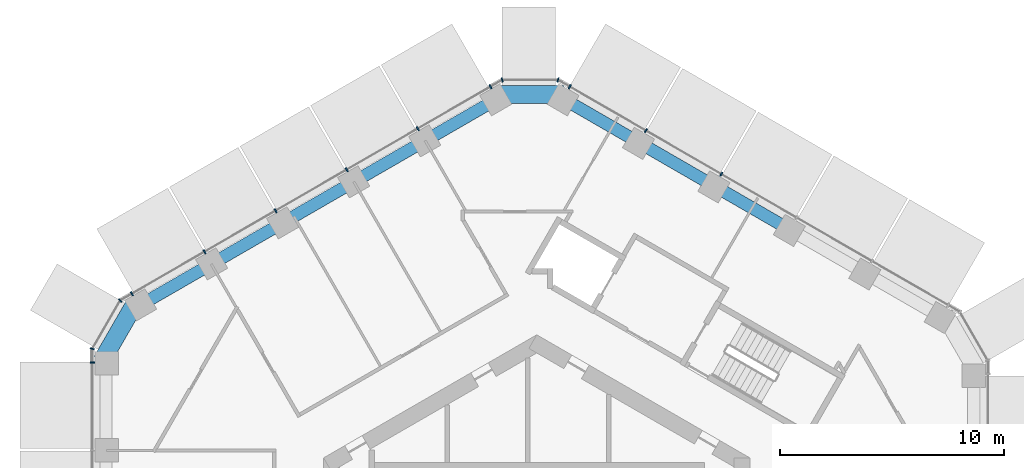
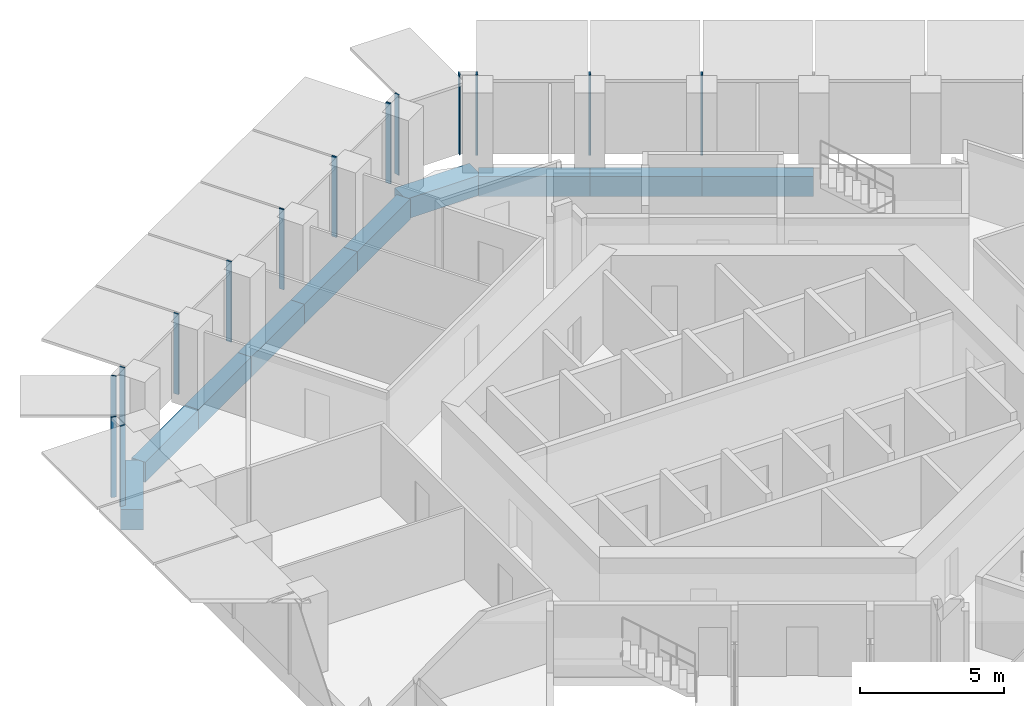
# One storey, part 6 of 19: 14 members, 10 beams, 5 elements without a shape of their own.
"""IFC4 building model written with IfcOpenShell, lengths in metres."""

from ifc_helpers import new_model, si_unit, direction, frame, origin, origin_2d, place, context, subcontext, project, spatial, rectangle, extrude, material, layer, layer_set, material_profile, profile_set, type_object, element, aggregate, save


model = new_model("IFC4")

# Units and contexts
model_context = context("Model", 3, precision=1e-05, world=origin(), true_north=direction((0.0, 1.0)))
body_context = subcontext(model_context, "Body", "Model", "MODEL_VIEW")
ifc_project = project(units=[si_unit("LENGTHUNIT", "METRE"), si_unit("AREAUNIT", "SQUARE_METRE"), si_unit("VOLUMEUNIT", "CUBIC_METRE"), si_unit("PLANEANGLEUNIT", "RADIAN"), si_unit("MASSUNIT", "GRAM", prefix="KILO")], contexts=[model_context])

# Site, building, storey
site_placement = place(None, origin())
site = spatial("IfcSite", under=ifc_project, at=site_placement, CompositionType="ELEMENT")
building_placement = place(site_placement, origin())
building = spatial("IfcBuilding", under=site, at=building_placement, Name="Ayvan Gate Tower", CompositionType="ELEMENT")
storey_placement = place(building_placement, frame((0.0, 0.0, 100.10009765625)))
storey = spatial("IfcBuildingStorey", under=building, at=storey_placement, Name="L26", CompositionType="ELEMENT", Elevation=100.10009765625)

# Beams
ifc_material_1 = material(Name="Concrete C40/50", Category="concrete")
ifc_material_profile_1 = material_profile(ifc_material_1, rectangle(XDim=0.800048828125, YDim=0.85009765625, at=origin_2d()), Name="RC 800x850")
ifc_profile_set_1 = profile_set([ifc_material_profile_1], Name="Concrete C40/50")
beam_type_1 = type_object("IfcBeamType", Name="Corner spandrel beam RC 800x850 C40/50", PredefinedType="BEAM", material=ifc_profile_set_1)
for number, where, z_axis, x_axis, name in (
    (1, (1.216796875, 21.6904296875, -0.775146484375), (-1.0, 0.0, 0.0), (0.0, -1.0, 0.0), "SB-L26-12"),
    (2, (-17.892822265625, 12.3896484375, -0.775146484375), (-0.499990139034, -0.866031096941, 0.0), (0.866031096941, -0.499990139034, 0.0), "SB-L26-18"),
):
    element("IfcBeam", number, at=place(storey_placement, frame(where, z_axis=z_axis, x_axis=x_axis)), inside=storey, type_object=beam_type_1, Name=name, PredefinedType="BEAM", context=body_context, shape_type="SweptSolid", body=[
        extrude(rectangle(XDim=0.800048828125, YDim=0.85009765625, at=origin_2d()), origin(), (0.0, 0.0, 1.0), 3.0),
    ])
ifc_material_profile_2 = material_profile(ifc_material_1, rectangle(XDim=0.550048828125, YDim=0.85009765625, at=origin_2d()), Name="RC 550x850")
ifc_profile_set_2 = profile_set([ifc_material_profile_2], Name="Concrete C40/50")
beam_type_2 = type_object("IfcBeamType", Name="Spandrel beam RC 550x850 C40/50", PredefinedType="BEAM", material=ifc_profile_set_2)
for number, where, z_axis, x_axis, name in (
    (3, (11.278076171875, 15.66162109375, -0.775146484375), (-0.866027059381, 0.499997132412, 0.0), (-0.499997132412, -0.866027059381, 0.0), "SB-L26-9"),
    (4, (7.92431640625, 17.597900390625, -0.775146484375), (-0.866027059381, 0.499997132412, 0.0), (-0.499997132412, -0.866027059381, 0.0), "SB-L26-10"),
    (5, (4.570556640625, 19.5341796875, -0.775146484375), (-0.866027059381, 0.499997132412, 0.0), (-0.499997132412, -0.866027059381, 0.0), "SB-L26-11"),
):
    element("IfcBeam", number, at=place(storey_placement, frame(where, z_axis=z_axis, x_axis=x_axis)), inside=storey, type_object=beam_type_2, Name=name, PredefinedType="BEAM", context=body_context, shape_type="SweptSolid", body=[
        extrude(rectangle(XDim=0.550048828125, YDim=0.85009765625, at=origin_2d()), origin(), (0.0, 0.0, 1.0), 3.87255859375),
    ])
for number, where, z_axis, x_axis, name in (
    (6, (-1.783203125, 21.470458984375, -0.775146484375), (-0.866031869728, -0.49998880049, 0.0), (0.49998880049, -0.866031869728, 0.0), "SB-L26-13"),
    (7, (-4.967041015625, 19.63232421875, -0.775146484375), (-0.866031869728, -0.49998880049, 0.0), (0.49998880049, -0.866031869728, 0.0), "SB-L26-14"),
):
    element("IfcBeam", number, at=place(storey_placement, frame(where, z_axis=z_axis, x_axis=x_axis)), inside=storey, type_object=beam_type_2, Name=name, PredefinedType="BEAM", context=body_context, shape_type="SweptSolid", body=[
        extrude(rectangle(XDim=0.550048828125, YDim=0.85009765625, at=origin_2d()), origin(), (0.0, 0.0, 1.0), 3.67626953125),
    ])
beam_placement = place(storey_placement, frame((-8.15087890625, 17.794189453125, -0.775146484375), z_axis=(-0.866003114002, -0.500038605048, 0.0), x_axis=(0.500038605048, -0.866003114002, 0.0)))
element("IfcBeam", 8, at=beam_placement, inside=storey, type_object=beam_type_2, Name="SB-L26-15", PredefinedType="BEAM", context=body_context, shape_type="SweptSolid", body=[
    extrude(rectangle(XDim=0.550048828125, YDim=0.85009765625, at=origin_2d()), origin(), (0.0, 0.0, 1.0), 3.676513671875),
])
for number, where, z_axis, x_axis, name in (
    (9, (-11.334716796875, 15.955810546875, -0.775146484375), (-0.866031869728, -0.49998880049, 0.0), (0.49998880049, -0.866031869728, 0.0), "SB-L26-16"),
    (10, (-14.5185546875, 14.11767578125, -0.775146484375), (-0.866031869728, -0.49998880049, 0.0), (0.49998880049, -0.866031869728, 0.0), "SB-L26-17"),
):
    element("IfcBeam", number, at=place(storey_placement, frame(where, z_axis=z_axis, x_axis=x_axis)), inside=storey, type_object=beam_type_2, Name=name, PredefinedType="BEAM", context=body_context, shape_type="SweptSolid", body=[
        extrude(rectangle(XDim=0.550048828125, YDim=0.85009765625, at=origin_2d()), origin(), (0.0, 0.0, 1.0), 3.67626953125),
    ])

# Curtain wall, members
ifc_material_2 = material(Name="Bronze anodised aluminium", Category="aluminium")
ifc_layer_1 = layer(ifc_material_2, 0.199951171875)
ifc_layer_set_1 = layer_set([ifc_layer_1], Name="Bronze anodised aluminium")
curtain_wall_type_1 = type_object("IfcCurtainWallType", Name="Stick curtain wall CW-1", PredefinedType="NOTDEFINED", material=ifc_layer_set_1)
curtain_wall_1_placement = place(storey_placement, origin())
curtain_wall_1 = element("IfcCurtainWall", 11, at=curtain_wall_1_placement, inside=storey, type_object=curtain_wall_type_1, Name="Stick curtain wall CW-1 L26", PredefinedType="NOTDEFINED")
ifc_material_profile_3 = material_profile(ifc_material_2, rectangle(XDim=0.199951171875, YDim=0.06005859375, at=origin_2d()), Name="Stick curtain wall CW-1 mullion 200 x 60")
ifc_profile_set_3 = profile_set([ifc_material_profile_3], Name="Bronze anodised aluminium")
member_type_1 = type_object("IfcMemberType", Name="Stick curtain wall CW-1 mullion 200 x 60", PredefinedType="MULLION", material=ifc_profile_set_3)
member_1_placement = place(storey_placement, frame((-2.06396484375, 22.030029296875, 0.0), z_axis=(0.0, 0.0, 1.0), x_axis=(-0.5, 0.866025403784, 0.0)))
member_1 = element("IfcMember", 12, at=member_1_placement, type_object=member_type_1, Name="CW-1 mullion 1", PredefinedType="MULLION", context=body_context, shape_type="SweptSolid", body=[
    extrude(rectangle(XDim=0.199951171875, YDim=0.06005859375, at=origin_2d()), origin(), (0.0, 0.0, 1.0), 3.39990234375),
])
member_2_placement = place(storey_placement, frame((-5.305419921875, 20.158447265625, 0.0), z_axis=(0.0, 0.0, 1.0), x_axis=(-0.5, 0.866025403784, 0.0)))
member_2 = element("IfcMember", 13, at=member_2_placement, type_object=member_type_1, Name="CW-1 mullion 2", PredefinedType="MULLION", context=body_context, shape_type="SweptSolid", body=[
    extrude(rectangle(XDim=0.199951171875, YDim=0.06005859375, at=origin_2d()), origin(), (0.0, 0.0, 1.0), 3.39990234375),
])
member_3_placement = place(storey_placement, frame((-8.4716796875, 18.33056640625, 0.0), z_axis=(0.0, 0.0, 1.0), x_axis=(-0.5, 0.866025403784, 0.0)))
member_3 = element("IfcMember", 14, at=member_3_placement, type_object=member_type_1, Name="CW-1 mullion 3", PredefinedType="MULLION", context=body_context, shape_type="SweptSolid", body=[
    extrude(rectangle(XDim=0.199951171875, YDim=0.06005859375, at=origin_2d()), origin(), (0.0, 0.0, 1.0), 3.39990234375),
])
member_4_placement = place(storey_placement, frame((-11.638671875, 16.501953125, 0.0), z_axis=(0.0, 0.0, 1.0), x_axis=(-0.5, 0.866025403784, 0.0)))
member_4 = element("IfcMember", 15, at=member_4_placement, type_object=member_type_1, Name="CW-1 mullion 4", PredefinedType="MULLION", context=body_context, shape_type="SweptSolid", body=[
    extrude(rectangle(XDim=0.199951171875, YDim=0.06005859375, at=origin_2d()), origin(), (0.0, 0.0, 1.0), 3.39990234375),
])
member_5_placement = place(storey_placement, frame((-14.804931640625, 14.674072265625, 0.0), z_axis=(0.0, 0.0, 1.0), x_axis=(-0.5, 0.866025403784, 0.0)))
member_5 = element("IfcMember", 16, at=member_5_placement, type_object=member_type_1, Name="CW-1 mullion 5", PredefinedType="MULLION", context=body_context, shape_type="SweptSolid", body=[
    extrude(rectangle(XDim=0.199951171875, YDim=0.06005859375, at=origin_2d()), origin(), (0.0, 0.0, 1.0), 3.39990234375),
])
member_6_placement = place(storey_placement, frame((-18.046630859375, 12.802490234375, 0.0), z_axis=(0.0, 0.0, 1.0), x_axis=(-0.5, 0.866025403784, 0.0)))
member_6 = element("IfcMember", 17, at=member_6_placement, type_object=member_type_1, Name="CW-1 mullion 6", PredefinedType="MULLION", context=body_context, shape_type="SweptSolid", body=[
    extrude(rectangle(XDim=0.199951171875, YDim=0.06005859375, at=origin_2d()), origin(), (0.0, 0.0, 1.0), 3.39990234375),
])
aggregate(curtain_wall_1, [member_1, member_2, member_3, member_4, member_5, member_6])

# Curtain wall, member
curtain_wall_2_placement = place(storey_placement, origin())
curtain_wall_2 = element("IfcCurtainWall", 18, at=curtain_wall_2_placement, inside=storey, type_object=curtain_wall_type_1, Name="Stick curtain wall CW-1 L26", PredefinedType="NOTDEFINED")
member_7_placement = place(storey_placement, frame((-19.813720703125, 9.741455078125, 0.0), z_axis=(0.0, 0.0, 1.0), x_axis=(-1.0, 0.0, 0.0)))
member_7 = element("IfcMember", 19, at=member_7_placement, type_object=member_type_1, Name="CW-1 mullion 1", PredefinedType="MULLION", context=body_context, shape_type="SweptSolid", body=[
    extrude(rectangle(XDim=0.199951171875, YDim=0.06005859375, at=origin_2d()), origin(), (0.0, 0.0, 1.0), 3.39990234375),
])
aggregate(curtain_wall_2, [member_7])

# Curtain wall, members
curtain_wall_3_placement = place(storey_placement, origin())
curtain_wall_3 = element("IfcCurtainWall", 20, at=curtain_wall_3_placement, inside=storey, type_object=curtain_wall_type_1, Name="Stick curtain wall CW-1 L26", PredefinedType="NOTDEFINED")
member_8_placement = place(storey_placement, frame((8.2255859375, 18.130126953125, 0.0), z_axis=(0.0, 0.0, 1.0), x_axis=(0.5, 0.866025403784, 0.0)))
member_8 = element("IfcMember", 21, at=member_8_placement, type_object=member_type_1, Name="CW-1 mullion 4", PredefinedType="MULLION", context=body_context, shape_type="SweptSolid", body=[
    extrude(rectangle(XDim=0.199951171875, YDim=0.06005859375, at=origin_2d()), origin(), (0.0, 0.0, 1.0), 3.39990234375),
])
member_9_placement = place(storey_placement, frame((4.86376953125, 20.071044921875, 0.0), z_axis=(0.0, 0.0, 1.0), x_axis=(0.5, 0.866025403784, 0.0)))
member_9 = element("IfcMember", 22, at=member_9_placement, type_object=member_type_1, Name="CW-1 mullion 5", PredefinedType="MULLION", context=body_context, shape_type="SweptSolid", body=[
    extrude(rectangle(XDim=0.199951171875, YDim=0.06005859375, at=origin_2d()), origin(), (0.0, 0.0, 1.0), 3.39990234375),
])
member_10_placement = place(storey_placement, frame((1.470458984375, 22.030029296875, 0.0), z_axis=(0.0, 0.0, 1.0), x_axis=(0.5, 0.866025403784, 0.0)))
member_10 = element("IfcMember", 23, at=member_10_placement, type_object=member_type_1, Name="CW-1 mullion 6", PredefinedType="MULLION", context=body_context, shape_type="SweptSolid", body=[
    extrude(rectangle(XDim=0.199951171875, YDim=0.06005859375, at=origin_2d()), origin(), (0.0, 0.0, 1.0), 3.39990234375),
])
aggregate(curtain_wall_3, [member_8, member_9, member_10])

ifc_layer_2 = layer(ifc_material_2, 0.199951171875)
ifc_layer_set_2 = layer_set([ifc_layer_2], Name="Bronze anodised aluminium")
curtain_wall_type_2 = type_object("IfcCurtainWallType", Name="Stick curtain wall CW-6", PredefinedType="NOTDEFINED", material=ifc_layer_set_2)
curtain_wall_4_placement = place(storey_placement, origin())
curtain_wall_4 = element("IfcCurtainWall", 24, at=curtain_wall_4_placement, inside=storey, type_object=curtain_wall_type_2, Name="Stick curtain wall CW-6 L26", PredefinedType="NOTDEFINED")
ifc_material_profile_4 = material_profile(ifc_material_2, rectangle(XDim=0.199951171875, YDim=0.050048828125, at=origin_2d()), Name="Stick curtain wall CW-6 mullion 200 x 50")
ifc_profile_set_4 = profile_set([ifc_material_profile_4], Name="Bronze anodised aluminium")
member_type_2 = type_object("IfcMemberType", Name="Stick curtain wall CW-6 mullion 200 x 50", PredefinedType="MULLION", material=ifc_profile_set_4)
member_11_placement = place(storey_placement, frame((-18.570556640625, 12.5, 0.0), z_axis=(0.0, 0.0, 1.0), x_axis=(-0.707106781187, 0.707106781187, 0.0)))
member_11 = element("IfcMember", 25, at=member_11_placement, type_object=member_type_2, Name="CW-6 mullion 2", PredefinedType="MULLION", context=body_context, shape_type="SweptSolid", body=[
    extrude(rectangle(XDim=0.199951171875, YDim=0.050048828125, at=origin_2d()), origin(), (0.0, 0.0, 1.0), 3.39990234375),
])
member_12_placement = place(storey_placement, frame((-19.813720703125, 10.346435546875, 0.0), z_axis=(0.0, 0.0, 1.0), x_axis=(-0.965925826289, 0.258819045103, 0.0)))
member_12 = element("IfcMember", 26, at=member_12_placement, type_object=member_type_2, Name="CW-6 mullion 3", PredefinedType="MULLION", context=body_context, shape_type="SweptSolid", body=[
    extrude(rectangle(XDim=0.199951171875, YDim=0.050048828125, at=origin_2d()), origin(), (0.0, 0.0, 1.0), 3.39990234375),
])
aggregate(curtain_wall_4, [member_11, member_12])

curtain_wall_5_placement = place(storey_placement, origin())
curtain_wall_5 = element("IfcCurtainWall", 27, at=curtain_wall_5_placement, inside=storey, type_object=curtain_wall_type_2, Name="Stick curtain wall CW-6 L26", PredefinedType="NOTDEFINED")
member_13_placement = place(storey_placement, frame((0.946533203125, 22.33251953125, 0.0), z_axis=(0.0, 0.0, 1.0), x_axis=(0.258819045103, 0.965925826289, 0.0)))
member_13 = element("IfcMember", 28, at=member_13_placement, type_object=member_type_2, Name="CW-6 mullion 2", PredefinedType="MULLION", context=body_context, shape_type="SweptSolid", body=[
    extrude(rectangle(XDim=0.199951171875, YDim=0.050048828125, at=origin_2d()), origin(), (0.0, 0.0, 1.0), 3.39990234375),
])
member_14_placement = place(storey_placement, frame((-1.5400390625, 22.33251953125, 0.0), z_axis=(0.0, 0.0, 1.0), x_axis=(-0.258819045103, 0.965925826289, 0.0)))
member_14 = element("IfcMember", 29, at=member_14_placement, type_object=member_type_2, Name="CW-6 mullion 3", PredefinedType="MULLION", context=body_context, shape_type="SweptSolid", body=[
    extrude(rectangle(XDim=0.199951171875, YDim=0.050048828125, at=origin_2d()), origin(), (0.0, 0.0, 1.0), 3.39990234375),
])
aggregate(curtain_wall_5, [member_13, member_14])

save(model, "model.ifc")
